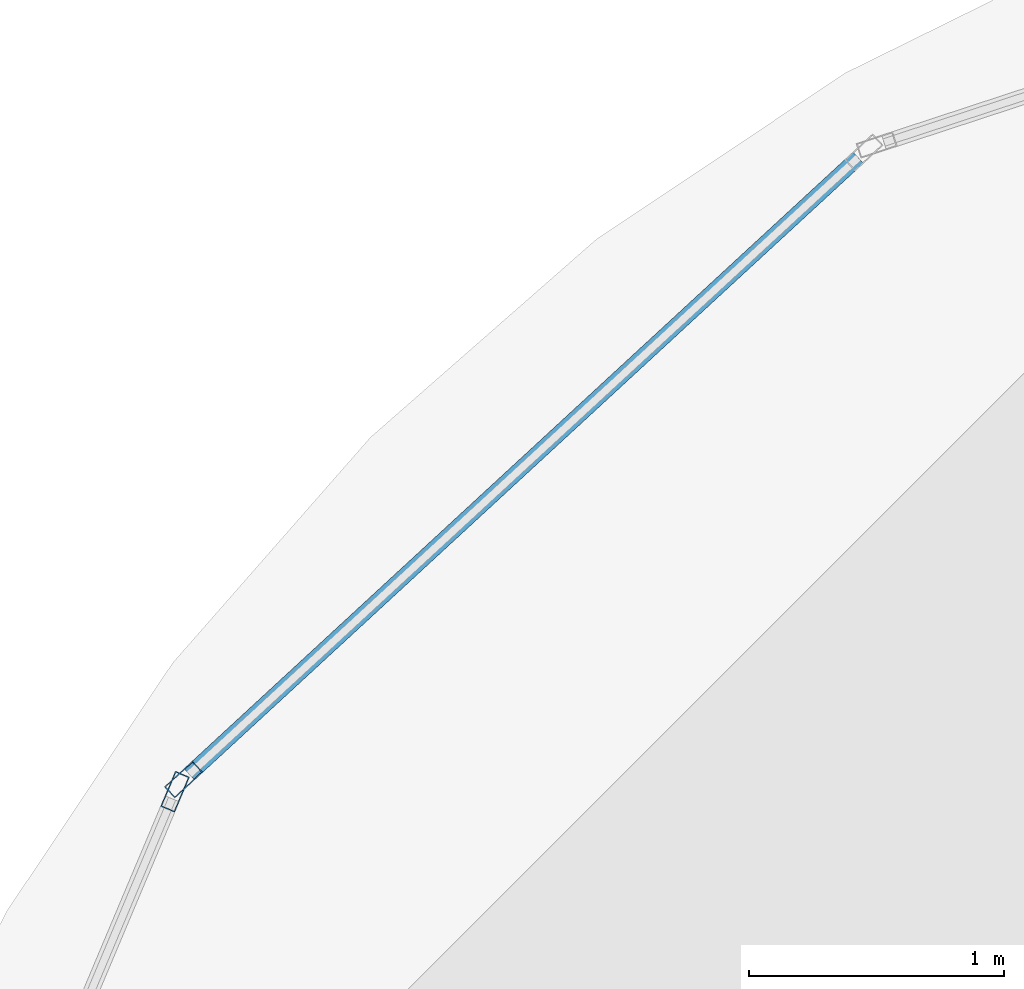
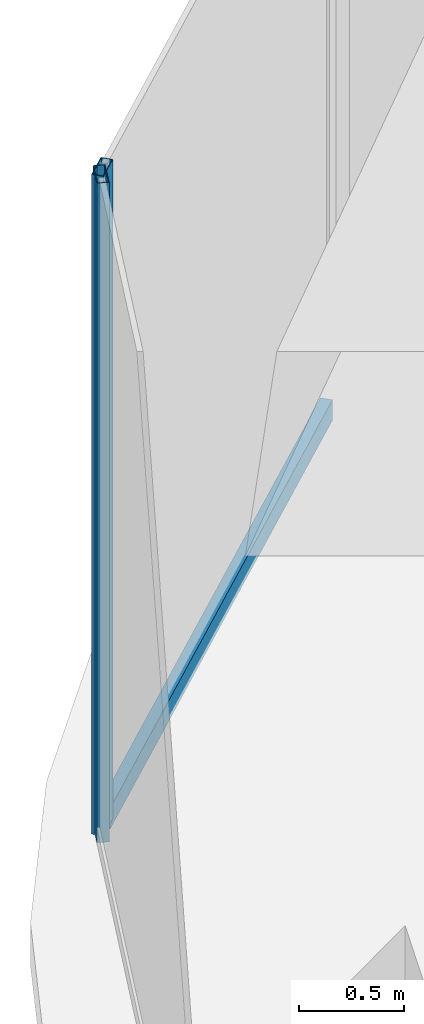
# One storey, part 29 of 45: 3 members, 2 elements without a shape of their own.
"""IFC4 building model written with IfcOpenShell, lengths in metres."""

from ifc_helpers import new_model, si_unit, direction, frame, origin, origin_2d, place, context, subcontext, project, spatial, hollow_rectangle, extrude, material, material_profile, profile_set, type_object, element, aggregate, save


model = new_model("IFC4")

# Units and contexts
model_context = context("Model", 3, precision=1e-05, world=origin(), true_north=direction((0.0, 1.0)))
body_context = subcontext(model_context, "Body", "Model", "MODEL_VIEW")
ifc_project = project(units=[si_unit("LENGTHUNIT", "METRE"), si_unit("AREAUNIT", "SQUARE_METRE"), si_unit("VOLUMEUNIT", "CUBIC_METRE"), si_unit("PLANEANGLEUNIT", "RADIAN"), si_unit("MASSUNIT", "GRAM", prefix="KILO")], contexts=[model_context])

# Site, building, storey
site_placement = place(None, origin())
site = spatial("IfcSite", under=ifc_project, at=site_placement, CompositionType="ELEMENT")
building_placement = place(site_placement, origin())
building = spatial("IfcBuilding", under=site, at=building_placement, Name="Zorevar Civic Tower", CompositionType="ELEMENT")
storey_placement = place(building_placement, frame((0.0, 0.0, 153.0)))
storey = spatial("IfcBuildingStorey", under=building, at=storey_placement, Name="L37", CompositionType="ELEMENT", Elevation=153.0)

# Curtain wall, member
ifc_material_1 = material(Name="Dark grey solar-control glass in black aluminium frame", Category="aluminium")
curtain_wall_type = type_object("IfcCurtainWallType", Name="Curtain wall CW3 mid zone", PredefinedType="NOTDEFINED", material=ifc_material_1)
curtain_wall_1_placement = place(storey_placement, origin())
curtain_wall_1 = element("IfcCurtainWall", 1, at=curtain_wall_1_placement, inside=storey, type_object=curtain_wall_type, Name="CW3 L37", PredefinedType="NOTDEFINED")
ifc_material_2 = material(Name="Aluminium, black anodised", Category="aluminium")
ifc_material_profile_1 = material_profile(ifc_material_2, hollow_rectangle(XDim=0.06005859375, YDim=0.14990234375, WallThickness=0.00390625, at=origin_2d()), Name="AL 150x60x4")
ifc_profile_set_1 = profile_set([ifc_material_profile_1], Name="Aluminium, black anodised")
member_type_1 = type_object("IfcMemberType", Name="CW3 mullion AL 150x60x4", PredefinedType="MULLION", material=ifc_profile_set_1)
member_1_placement = place(storey_placement, frame((1.90283203125, 41.02099609375, 0.0), z_axis=(0.0, 0.0, 1.0), x_axis=(0.677777450165, -0.7352671134, 0.0)))
member_1 = element("IfcMember", 2, at=member_1_placement, type_object=member_type_1, Name="CW3 mullion 2", PredefinedType="MULLION", context=body_context, shape_type="SweptSolid", body=[
    extrude(hollow_rectangle(XDim=0.06005859375, YDim=0.14990234375, WallThickness=0.00390625, at=origin_2d()), origin(), (0.0, 0.0, 1.0), 3.85009765625),
])

curtain_wall_2_placement = place(storey_placement, origin())
curtain_wall_2 = element("IfcCurtainWall", 3, at=curtain_wall_2_placement, inside=storey, type_object=curtain_wall_type, Name="CW3 L37", PredefinedType="NOTDEFINED")
member_2_placement = place(storey_placement, frame((1.869140625, 40.97314453125, 0.0), z_axis=(0.0, 0.0, 1.0), x_axis=(0.921581744025, -0.388184349349, 0.0)))
member_2 = element("IfcMember", 4, at=member_2_placement, type_object=member_type_1, Name="CW3 mullion 1", PredefinedType="MULLION", context=body_context, shape_type="SweptSolid", body=[
    extrude(hollow_rectangle(XDim=0.06005859375, YDim=0.14990234375, WallThickness=0.00390625, at=origin_2d()), origin(), (0.0, 0.0, 1.0), 3.85009765625),
])
aggregate(curtain_wall_2, [member_2])

# Member
ifc_material_3 = material(Name="Aluminium, black anodised", Category="aluminium")
ifc_material_profile_2 = material_profile(ifc_material_3, hollow_rectangle(XDim=0.06005859375, YDim=0.1201171875, WallThickness=0.0029296875, at=origin_2d()), Name="AL 120x60x3")
ifc_profile_set_2 = profile_set([ifc_material_profile_2], Name="Aluminium, black anodised")
member_type_2 = type_object("IfcMemberType", Name="CW3 transom AL 120x60x3", PredefinedType="USERDEFINED", material=ifc_profile_set_2)
member_3_placement = place(storey_placement, frame((4.550048828125, 43.461181640625, 0.030029296875), z_axis=(-0.735277810103, -0.677765845975, 0.0), x_axis=(0.677765845975, -0.735277810103, 0.0)))
member_3 = element("IfcMember", 5, at=member_3_placement, type_object=member_type_2, Name="CW3 sill transom", ObjectType="TRANSOM", PredefinedType="USERDEFINED", context=body_context, shape_type="SweptSolid", body=[
    extrude(hollow_rectangle(XDim=0.06005859375, YDim=0.1201171875, WallThickness=0.0029296875, at=origin_2d()), origin(), (0.0, 0.0, 1.0), 3.570068359375),
])

aggregate(curtain_wall_1, [member_1, member_3])

save(model, "model.ifc")
